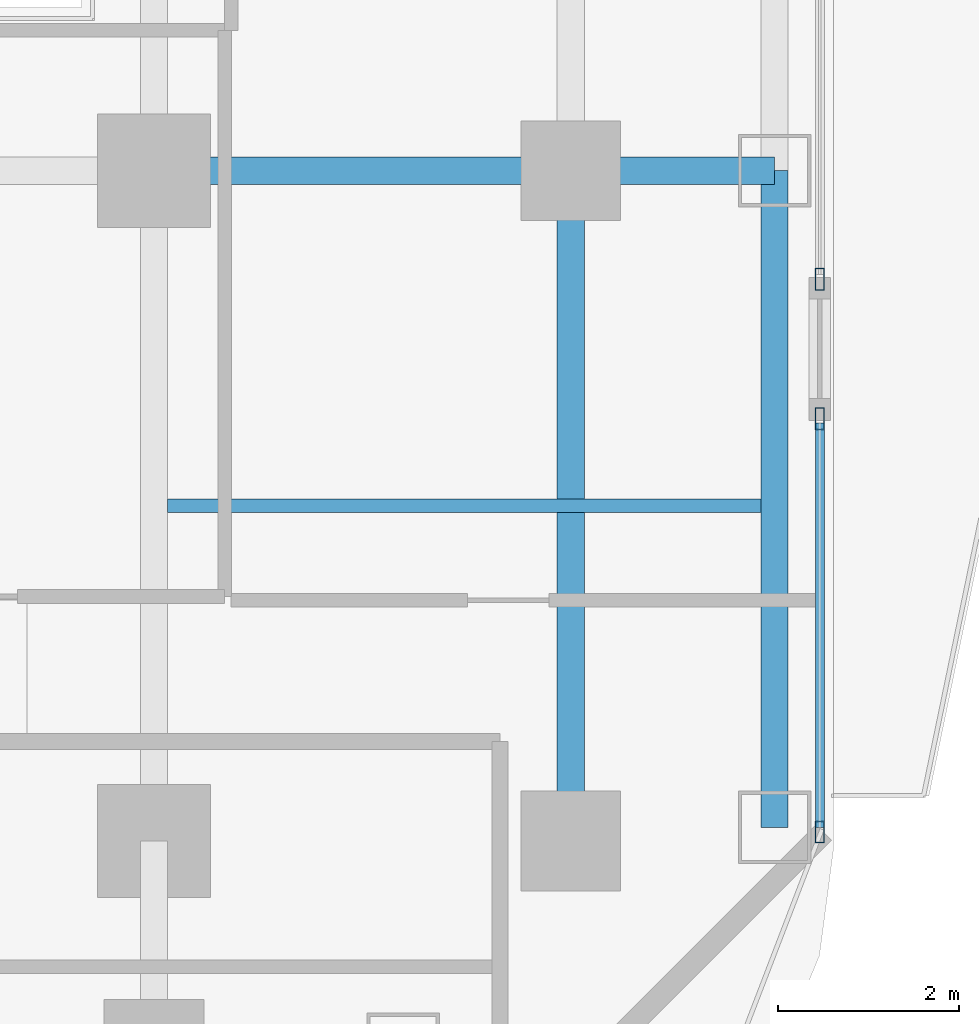
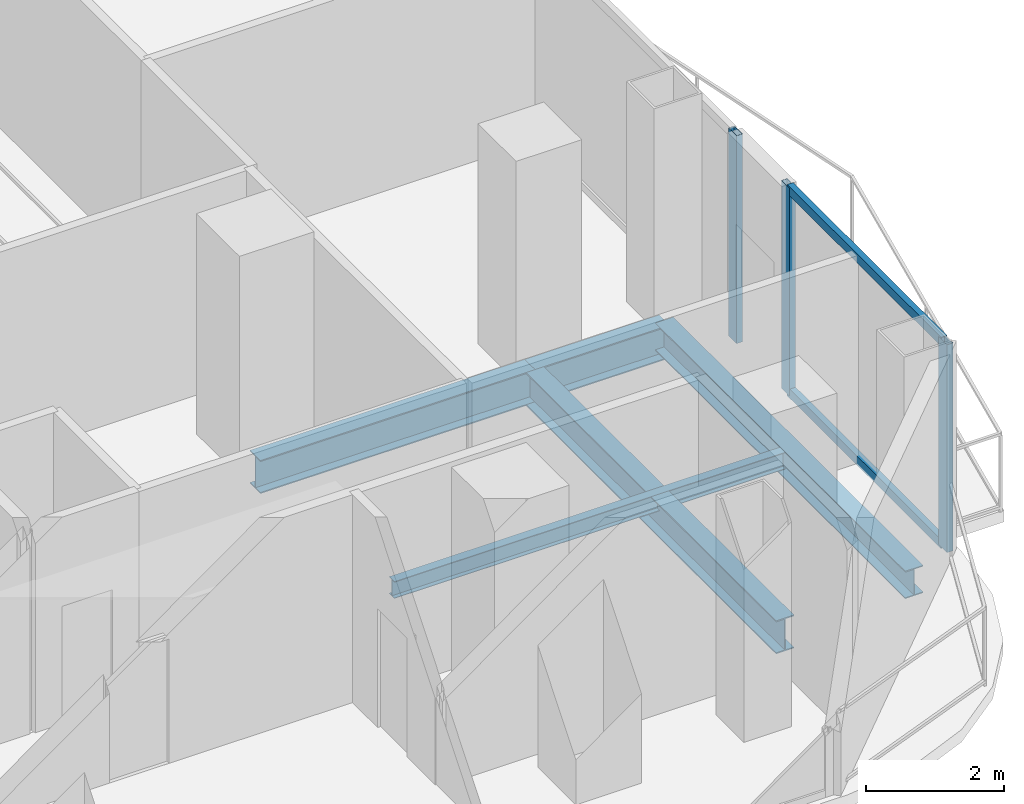
# One storey, part 9 of 28: 5 beams, 5 members, 2 elements without a shape of their own.
"""IFC4 building model written with IfcOpenShell, lengths in metres."""

from ifc_helpers import new_model, si_unit, direction, frame, origin, origin_2d, place, context, subcontext, project, spatial, hollow_rectangle, i_section, extrude, material, layer, layer_set, material_profile, profile_set, type_object, element, aggregate, save


model = new_model("IFC4")

# Units and contexts
model_context = context("Model", 3, precision=1e-05, world=origin(), true_north=direction((0.0, 1.0)))
body_context = subcontext(model_context, "Body", "Model", "MODEL_VIEW")
ifc_project = project(units=[si_unit("LENGTHUNIT", "METRE"), si_unit("AREAUNIT", "SQUARE_METRE"), si_unit("VOLUMEUNIT", "CUBIC_METRE"), si_unit("PLANEANGLEUNIT", "RADIAN"), si_unit("MASSUNIT", "GRAM", prefix="KILO")], contexts=[model_context])

# Site, building, storey
site_placement = place(None, origin())
site = spatial("IfcSite", under=ifc_project, at=site_placement, CompositionType="ELEMENT")
building_placement = place(site_placement, origin())
building = spatial("IfcBuilding", under=site, at=building_placement, Name="Khorvyn Point Tower", CompositionType="ELEMENT")
storey_placement = place(building_placement, frame((0.0, 0.0, 100.800048828125)))
storey = spatial("IfcBuildingStorey", under=building, at=storey_placement, Name="L25", CompositionType="ELEMENT", Elevation=100.800048828125)

# Curtain wall, member
ifc_material_1 = material(Name="Anodised aluminium 6063-T6 and laminated Low-E glass", Category="aluminium")
ifc_layer = layer(ifc_material_1, 0.18994140625)
ifc_layer_set = layer_set([ifc_layer], Name="Stick-Built Finned Residential Curtain Wall CW-SYS-02")
curtain_wall_type = type_object("IfcCurtainWallType", Name="Stick-Built Finned Residential Curtain Wall CW-SYS-02", PredefinedType="NOTDEFINED", material=ifc_layer_set)
curtain_wall_1_placement = place(storey_placement, origin())
curtain_wall_1 = element("IfcCurtainWall", 1, at=curtain_wall_1_placement, inside=storey, type_object=curtain_wall_type, Name="Curtain Wall", PredefinedType="NOTDEFINED")
ifc_material_2 = material(Name="Anodised aluminium 6063-T6", Category="aluminium")
ifc_material_profile_1 = material_profile(ifc_material_2, hollow_rectangle(XDim=0.10009765625, YDim=0.239990234375, WallThickness=0.0048828125, at=origin_2d()))
ifc_profile_set_1 = profile_set([ifc_material_profile_1], Name="Anodised aluminium 6063-T6 ALU-MUL-100x240")
member_type_1 = type_object("IfcMemberType", Name="Anodised Aluminium 6063-T6 Mullion ALU-MUL-100x240", PredefinedType="MULLION", material=ifc_profile_set_1)
member_1_placement = place(storey_placement, frame((22.14990234375, -8.596923828125, 0.0), z_axis=(0.0, 0.0, 1.0), x_axis=(1.0, 0.0, 0.0)))
member_1 = element("IfcMember", 2, at=member_1_placement, type_object=member_type_1, Name="Transom", PredefinedType="MULLION", context=body_context, shape_type="SweptSolid", body=[
    extrude(hollow_rectangle(XDim=0.10009765625, YDim=0.239990234375, WallThickness=0.0048828125, at=origin_2d()), origin(), (0.0, 0.0, 1.0), 3.679931640625),
])
aggregate(curtain_wall_1, [member_1])

# Curtain wall, members
curtain_wall_2_placement = place(storey_placement, origin())
curtain_wall_2 = element("IfcCurtainWall", 3, at=curtain_wall_2_placement, inside=storey, type_object=curtain_wall_type, Name="Curtain Wall", PredefinedType="NOTDEFINED")
member_2_placement = place(storey_placement, frame((22.14990234375, -10.136962890625, 0.0), z_axis=(0.0, 0.0, 1.0), x_axis=(1.0, 0.0, 0.0)))
member_2 = element("IfcMember", 4, at=member_2_placement, type_object=member_type_1, Name="Transom", PredefinedType="MULLION", context=body_context, shape_type="SweptSolid", body=[
    extrude(hollow_rectangle(XDim=0.10009765625, YDim=0.239990234375, WallThickness=0.0048828125, at=origin_2d()), origin(), (0.0, 0.0, 1.0), 3.679931640625),
])
member_3_placement = place(storey_placement, frame((22.14990234375, -14.699951171875, 0.0), z_axis=(0.0, 0.0, 1.0), x_axis=(1.0, 0.0, 0.0)))
member_3 = element("IfcMember", 5, at=member_3_placement, type_object=member_type_1, Name="Transom", PredefinedType="MULLION", context=body_context, shape_type="SweptSolid", body=[
    extrude(hollow_rectangle(XDim=0.10009765625, YDim=0.239990234375, WallThickness=0.0048828125, at=origin_2d()), origin(), (0.0, 0.0, 1.0), 3.679931640625),
])
ifc_material_profile_2 = material_profile(ifc_material_2, hollow_rectangle(XDim=0.10009765625, YDim=0.159912109375, WallThickness=0.00439453125, at=origin_2d()))
ifc_profile_set_2 = profile_set([ifc_material_profile_2], Name="Anodised aluminium 6063-T6 ALU-TRN-100x160")
member_type_2 = type_object("IfcMemberType", Name="Anodised Aluminium 6063-T6 Transom ALU-TRN-100x160", PredefinedType="USERDEFINED", material=ifc_profile_set_2)
member_4_placement = place(storey_placement, frame((22.14990234375, -10.18701171875, 0.050048828125), z_axis=(0.0, -1.0, 0.0), x_axis=(1.0, 0.0, 0.0)))
member_4 = element("IfcMember", 6, at=member_4_placement, type_object=member_type_2, Name="Transom", ObjectType="TRANSOM", PredefinedType="USERDEFINED", context=body_context, shape_type="SweptSolid", body=[
    extrude(hollow_rectangle(XDim=0.10009765625, YDim=0.159912109375, WallThickness=0.00439453125, at=origin_2d()), origin(), (0.0, 0.0, 1.0), 4.462890625),
])
member_5_placement = place(storey_placement, frame((22.14990234375, -10.18701171875, 3.6298828125), z_axis=(0.0, -1.0, 0.0), x_axis=(1.0, 0.0, 0.0)))
member_5 = element("IfcMember", 7, at=member_5_placement, type_object=member_type_2, Name="Transom", ObjectType="TRANSOM", PredefinedType="USERDEFINED", context=body_context, shape_type="SweptSolid", body=[
    extrude(hollow_rectangle(XDim=0.10009765625, YDim=0.159912109375, WallThickness=0.00439453125, at=origin_2d()), origin(), (0.0, 0.0, 1.0), 4.462890625),
])
aggregate(curtain_wall_2, [member_2, member_3, member_4, member_5])

# Beams
ifc_material_3 = material(Name="Steel S355", Category="steel")
ifc_material_profile_3 = material_profile(ifc_material_3, i_section(OverallWidth=0.300048828125, OverallDepth=0.587890625, WebThickness=0.011962890625, FlangeThickness=0.02001953125, at=origin_2d()))
ifc_profile_set_3 = profile_set([ifc_material_profile_3], Name="Steel S355 H588x300x12x20")
beam_type_1 = type_object("IfcBeamType", Name="Steel S355 Beam H588x300x12x20", PredefinedType="BEAM", material=ifc_profile_set_3)
beam_1_placement = place(storey_placement, frame((14.800048828125, -7.39990234375, -0.51416015625), z_axis=(1.0, 0.0, 0.0), x_axis=(0.0, 1.0, 0.0)))
element("IfcBeam", 8, at=beam_1_placement, inside=storey, type_object=beam_type_1, Name="Beam", PredefinedType="BEAM", context=body_context, shape_type="SweptSolid", body=[
    extrude(i_section(OverallWidth=0.300048828125, OverallDepth=0.587890625, WebThickness=0.011962890625, FlangeThickness=0.02001953125, at=origin_2d()), origin(), (0.0, 0.0, 1.0), 4.599853515625),
])
beam_2_placement = place(storey_placement, frame((19.39990234375, -7.39990234375, -0.51416015625), z_axis=(1.0, 0.0, 0.0), x_axis=(0.0, 1.0, 0.0)))
element("IfcBeam", 9, at=beam_2_placement, inside=storey, type_object=beam_type_1, Name="Beam", PredefinedType="BEAM", context=body_context, shape_type="SweptSolid", body=[
    extrude(i_section(OverallWidth=0.300048828125, OverallDepth=0.587890625, WebThickness=0.011962890625, FlangeThickness=0.02001953125, at=origin_2d()), origin(), (0.0, 0.0, 1.0), 2.25),
])
beam_3_placement = place(storey_placement, frame((19.39990234375, -14.800048828125, -0.51416015625), z_axis=(0.0, 1.0, 0.0), x_axis=(-1.0, 0.0, 0.0)))
element("IfcBeam", 10, at=beam_3_placement, inside=storey, type_object=beam_type_1, Name="Beam", PredefinedType="BEAM", context=body_context, shape_type="SweptSolid", body=[
    extrude(i_section(OverallWidth=0.300048828125, OverallDepth=0.587890625, WebThickness=0.011962890625, FlangeThickness=0.02001953125, at=origin_2d()), origin(), (0.0, 0.0, 1.0), 7.400146484375),
])
ifc_material_profile_4 = material_profile(ifc_material_3, i_section(OverallWidth=0.14990234375, OverallDepth=0.300048828125, WebThickness=0.006591796875, FlangeThickness=0.009033203125, at=origin_2d()))
ifc_profile_set_4 = profile_set([ifc_material_profile_4], Name="Steel S355 H300x150x6.5x9")
beam_type_2 = type_object("IfcBeamType", Name="Steel S355 Joist H300x150x6.5x9", PredefinedType="JOIST", material=ifc_profile_set_4)
beam_4_placement = place(storey_placement, frame((14.949951171875, -11.10009765625, -0.3701171875), z_axis=(1.0, 0.0, 0.0), x_axis=(0.0, 1.0, 0.0)))
element("IfcBeam", 11, at=beam_4_placement, inside=storey, type_object=beam_type_2, Name="Beam", PredefinedType="JOIST", context=body_context, shape_type="SweptSolid", body=[
    extrude(i_section(OverallWidth=0.14990234375, OverallDepth=0.300048828125, WebThickness=0.006591796875, FlangeThickness=0.009033203125, at=origin_2d()), origin(), (0.0, 0.0, 1.0), 6.550048828125),
])
ifc_material_profile_5 = material_profile(ifc_material_3, i_section(OverallWidth=0.300048828125, OverallDepth=0.488037109375, WebThickness=0.010986328125, FlangeThickness=0.01806640625, at=origin_2d()))
ifc_profile_set_5 = profile_set([ifc_material_profile_5], Name="Steel S355 H488x300x11x18")
beam_type_3 = type_object("IfcBeamType", Name="Steel S355 Spandrel H488x300x11x18", PredefinedType="SPANDREL", material=ifc_profile_set_5)
beam_5_placement = place(storey_placement, frame((21.64990234375, -14.64990234375, -0.464111328125), z_axis=(0.0, 1.0, 0.0), x_axis=(-1.0, 0.0, 0.0)))
element("IfcBeam", 12, at=beam_5_placement, inside=storey, type_object=beam_type_3, Name="Beam", PredefinedType="SPANDREL", context=body_context, shape_type="SweptSolid", body=[
    extrude(i_section(OverallWidth=0.300048828125, OverallDepth=0.488037109375, WebThickness=0.010986328125, FlangeThickness=0.01806640625, at=origin_2d()), origin(), (0.0, 0.0, 1.0), 7.25),
])

save(model, "model.ifc")
